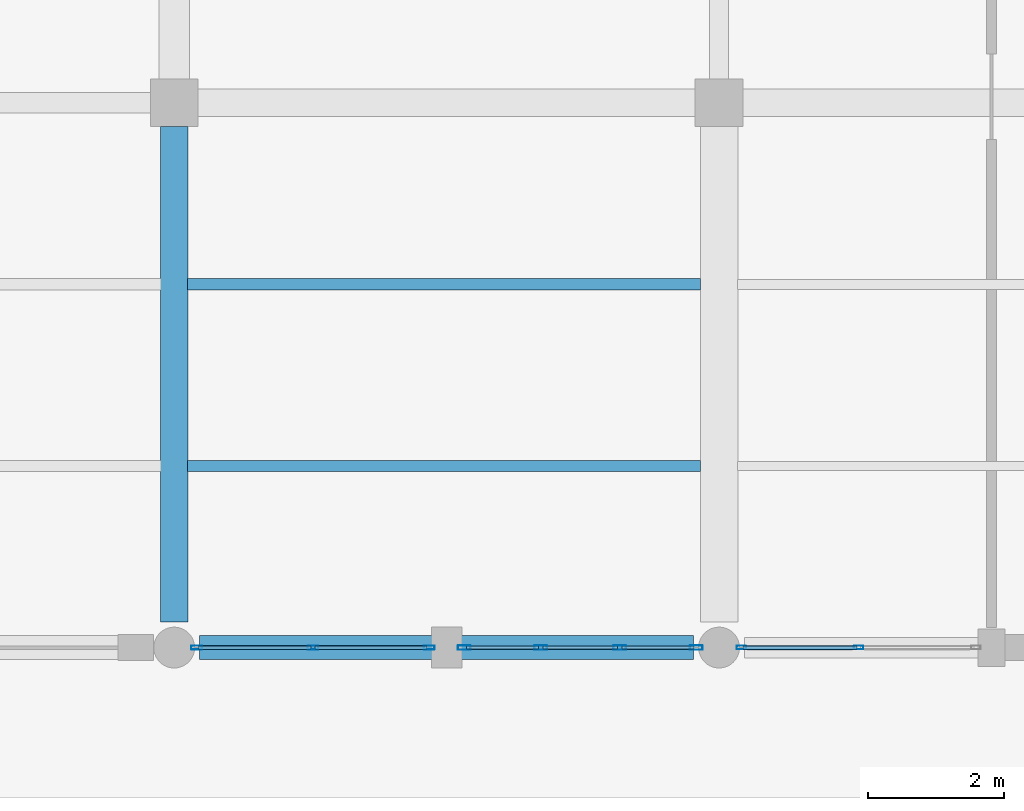
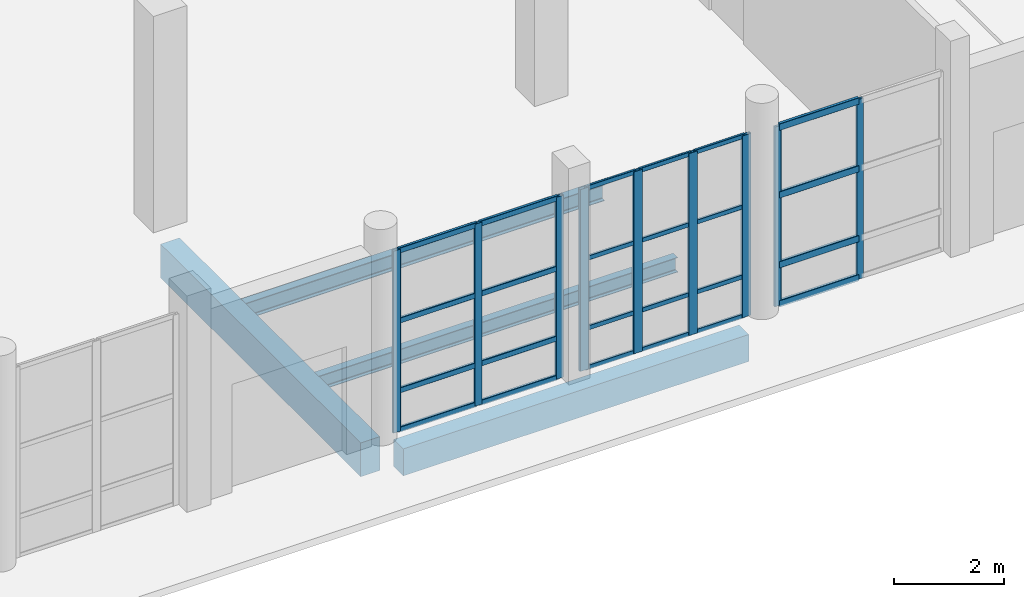
# One storey, part 17 of 156: 33 members, 4 beams, 3 elements without a shape of their own.
"""IFC4 building model written with IfcOpenShell, lengths in metres."""

from ifc_helpers import new_model, si_unit, direction, frame, origin, origin_2d, place, context, subcontext, project, spatial, rectangle, hollow_rectangle, i_section, extrude, material, material_profile, profile_set, type_object, element, aggregate, save


model = new_model("IFC4")

# Units and contexts
model_context = context("Model", 3, precision=1e-05, world=origin(), true_north=direction((0.0, 1.0)))
body_context = subcontext(model_context, "Body", "Model", "MODEL_VIEW")
ifc_project = project(units=[si_unit("LENGTHUNIT", "METRE"), si_unit("AREAUNIT", "SQUARE_METRE"), si_unit("VOLUMEUNIT", "CUBIC_METRE"), si_unit("PLANEANGLEUNIT", "RADIAN"), si_unit("MASSUNIT", "GRAM", prefix="KILO")], contexts=[model_context])

# Site, building, storey
site_placement = place(None, origin())
site = spatial("IfcSite", under=ifc_project, at=site_placement, CompositionType="ELEMENT")
building_placement = place(site_placement, origin())
building = spatial("IfcBuilding", under=site, at=building_placement, Name="Luwemba Playhouse", CompositionType="ELEMENT")
storey_placement = place(building_placement, origin())
storey = spatial("IfcBuildingStorey", under=building, at=storey_placement, Name="L00", CompositionType="ELEMENT", Elevation=0.0)

# Beams
ifc_material_1 = material(Name="Concrete C40/50", Category="concrete")
ifc_material_profile_1 = material_profile(ifc_material_1, rectangle(XDim=0.39990234375, YDim=0.75, at=origin_2d()))
ifc_profile_set_1 = profile_set([ifc_material_profile_1], Name="Concrete C40/50")
beam_type_1 = type_object("IfcBeamType", Name="BM-RB03", PredefinedType="BEAM", material=ifc_profile_set_1)
beam_1_placement = place(storey_placement, frame((36.0, 3.375, -0.675048828125), z_axis=(0.0, 1.0, 0.0), x_axis=(-1.0, 0.0, 0.0)))
element("IfcBeam", 1, at=beam_1_placement, inside=storey, type_object=beam_type_1, Name="L00 transverse girder 0190", PredefinedType="BEAM", context=body_context, shape_type="SweptSolid", body=[
    extrude(rectangle(XDim=0.39990234375, YDim=0.75, at=origin_2d()), origin(), (0.0, 0.0, 1.0), 7.27490234375),
])
ifc_material_2 = material(Name="Steel S355", Category="steel")
ifc_material_profile_2 = material_profile(ifc_material_2, i_section(OverallWidth=0.159912109375, OverallDepth=0.330078125, WebThickness=0.007568359375, FlangeThickness=0.011474609375, FilletRadius=0.01806640625, at=origin_2d()))
ifc_profile_set_2 = profile_set([ifc_material_profile_2], Name="Steel S355")
beam_type_2 = type_object("IfcBeamType", Name="BM-SJ06", PredefinedType="JOIST", material=ifc_profile_set_2)
beam_2_placement = place(storey_placement, frame((36.196044921875, 5.666748046875, -0.465087890625), z_axis=(1.0, 0.0, 0.0), x_axis=(0.0, 1.0, 0.0)))
element("IfcBeam", 2, at=beam_2_placement, inside=storey, type_object=beam_type_2, Name="L00 composite floor joist 0140", PredefinedType="JOIST", context=body_context, shape_type="SweptSolid", body=[
    extrude(i_section(OverallWidth=0.159912109375, OverallDepth=0.330078125, WebThickness=0.007568359375, FlangeThickness=0.011474609375, FilletRadius=0.01806640625, at=origin_2d()), origin(), (0.0, 0.0, 1.0), 7.532958984375),
])
ifc_material_profile_3 = material_profile(ifc_material_2, i_section(OverallWidth=0.169921875, OverallDepth=0.360107421875, WebThickness=0.008056640625, FlangeThickness=0.0126953125, FilletRadius=0.01806640625, at=origin_2d()))
ifc_profile_set_3 = profile_set([ifc_material_profile_3], Name="Steel S355")
beam_type_3 = type_object("IfcBeamType", Name="BM-SJ07", PredefinedType="JOIST", material=ifc_profile_set_3)
beam_3_placement = place(storey_placement, frame((36.196044921875, 8.333251953125, -0.47998046875), z_axis=(1.0, 0.0, 0.0), x_axis=(0.0, 1.0, 0.0)))
element("IfcBeam", 3, at=beam_3_placement, inside=storey, type_object=beam_type_3, Name="L00 composite floor joist 0141", PredefinedType="JOIST", context=body_context, shape_type="SweptSolid", body=[
    extrude(i_section(OverallWidth=0.169921875, OverallDepth=0.360107421875, WebThickness=0.008056640625, FlangeThickness=0.0126953125, FilletRadius=0.01806640625, at=origin_2d()), origin(), (0.0, 0.0, 1.0), 7.532958984375),
])
ifc_material_profile_4 = material_profile(ifc_material_1, rectangle(XDim=0.35009765625, YDim=0.60009765625, at=origin_2d()))
ifc_profile_set_4 = profile_set([ifc_material_profile_4], Name="Concrete C40/50")
beam_type_4 = type_object("IfcBeamType", Name="BM-SP3", PredefinedType="SPANDREL", material=ifc_profile_set_4)
beam_4_placement = place(storey_placement, frame((36.375, 3.0, -0.60009765625), z_axis=(1.0, 0.0, 0.0), x_axis=(0.0, 1.0, 0.0)))
element("IfcBeam", 4, at=beam_4_placement, inside=storey, type_object=beam_type_4, Name="L00 grid girder 0154", PredefinedType="SPANDREL", context=body_context, shape_type="SweptSolid", body=[
    extrude(rectangle(XDim=0.35009765625, YDim=0.60009765625, at=origin_2d()), origin(), (0.0, 0.0, 1.0), 7.25),
])

# Curtain wall, members
ifc_material_3 = material(Name="Solar-control double glazing", Category="glass")
curtain_wall_type_1 = type_object("IfcCurtainWallType", Name="CW-CW41", PredefinedType="USERDEFINED", material=ifc_material_3)
curtain_wall_1_placement = place(storey_placement, origin())
curtain_wall_1 = element("IfcCurtainWall", 5, at=curtain_wall_1_placement, inside=storey, type_object=curtain_wall_type_1, Name="L00 V5W unitised curtain wall 047", ObjectType="UNITISED GLAZING", PredefinedType="USERDEFINED")
ifc_material_4 = material(Name="Aluminium 6063-T6", Category="aluminium")
ifc_material_profile_5 = material_profile(ifc_material_4, hollow_rectangle(XDim=0.06005859375, YDim=0.159912109375, WallThickness=0.00390625, InnerFilletRadius=0.006103515625, OuterFilletRadius=0.010009765625, at=origin_2d()))
ifc_profile_set_5 = profile_set([ifc_material_profile_5], Name="Aluminium 6063-T6")
member_type_1 = type_object("IfcMemberType", Name="CWM-M1", PredefinedType="MULLION", material=ifc_profile_set_5)
member_1_placement = place(storey_placement, frame((39.7451171875, 3.0, 0.0), z_axis=(0.0, 0.0, 1.0), x_axis=(0.0, -1.0, 0.0)))
member_1 = element("IfcMember", 6, at=member_1_placement, type_object=member_type_1, Name="CW41 mullion 1", PredefinedType="MULLION", context=body_context, shape_type="SweptSolid", body=[
    extrude(hollow_rectangle(XDim=0.06005859375, YDim=0.159912109375, WallThickness=0.00390625, InnerFilletRadius=0.006103515625, OuterFilletRadius=0.010009765625, at=origin_2d()), origin(), (0.0, 0.0, 1.0), 4.034912109375),
])
member_2_placement = place(storey_placement, frame((38.03759765625, 3.0, 0.0), z_axis=(0.0, 0.0, 1.0), x_axis=(0.0, -1.0, 0.0)))
member_2 = element("IfcMember", 7, at=member_2_placement, type_object=member_type_1, Name="CW41 mullion 2", PredefinedType="MULLION", context=body_context, shape_type="SweptSolid", body=[
    extrude(hollow_rectangle(XDim=0.06005859375, YDim=0.159912109375, WallThickness=0.00390625, InnerFilletRadius=0.006103515625, OuterFilletRadius=0.010009765625, at=origin_2d()), origin(), (0.0, 0.0, 1.0), 4.034912109375),
])
member_3_placement = place(storey_placement, frame((36.330078125, 3.0, 0.0), z_axis=(0.0, 0.0, 1.0), x_axis=(0.0, -1.0, 0.0)))
member_3 = element("IfcMember", 8, at=member_3_placement, type_object=member_type_1, Name="CW41 mullion 3", PredefinedType="MULLION", context=body_context, shape_type="SweptSolid", body=[
    extrude(hollow_rectangle(XDim=0.06005859375, YDim=0.159912109375, WallThickness=0.00390625, InnerFilletRadius=0.006103515625, OuterFilletRadius=0.010009765625, at=origin_2d()), origin(), (0.0, 0.0, 1.0), 4.034912109375),
])

curtain_wall_type_2 = type_object("IfcCurtainWallType", Name="CW-CW40", PredefinedType="USERDEFINED", material=ifc_material_3)
curtain_wall_2_placement = place(storey_placement, origin())
curtain_wall_2 = element("IfcCurtainWall", 9, at=curtain_wall_2_placement, inside=storey, type_object=curtain_wall_type_2, Name="L00 V5W unitised curtain wall 045", ObjectType="UNITISED GLAZING", PredefinedType="USERDEFINED")
ifc_material_profile_6 = material_profile(ifc_material_4, hollow_rectangle(XDim=0.054931640625, YDim=0.139892578125, WallThickness=0.00390625, InnerFilletRadius=0.006103515625, OuterFilletRadius=0.010009765625, at=origin_2d()))
ifc_profile_set_6 = profile_set([ifc_material_profile_6], Name="Aluminium 6063-T6")
member_type_2 = type_object("IfcMemberType", Name="CWM-M3", PredefinedType="MULLION", material=ifc_profile_set_6)
member_4_placement = place(storey_placement, frame((46.050048828125, 3.0, 0.0), z_axis=(0.0, 0.0, 1.0), x_axis=(0.0, -1.0, 0.0)))
member_4 = element("IfcMember", 10, at=member_4_placement, type_object=member_type_2, Name="CW40 mullion 2", PredefinedType="MULLION", context=body_context, shape_type="SweptSolid", body=[
    extrude(hollow_rectangle(XDim=0.054931640625, YDim=0.139892578125, WallThickness=0.00390625, InnerFilletRadius=0.006103515625, OuterFilletRadius=0.010009765625, at=origin_2d()), origin(), (0.0, 0.0, 1.0), 3.985107421875),
])
member_5_placement = place(storey_placement, frame((44.327392578125, 3.0, 0.0), z_axis=(0.0, 0.0, 1.0), x_axis=(0.0, -1.0, 0.0)))
member_5 = element("IfcMember", 11, at=member_5_placement, type_object=member_type_2, Name="CW40 mullion 3", PredefinedType="MULLION", context=body_context, shape_type="SweptSolid", body=[
    extrude(hollow_rectangle(XDim=0.054931640625, YDim=0.139892578125, WallThickness=0.00390625, InnerFilletRadius=0.006103515625, OuterFilletRadius=0.010009765625, at=origin_2d()), origin(), (0.0, 0.0, 1.0), 3.985107421875),
])

curtain_wall_type_3 = type_object("IfcCurtainWallType", Name="CW-CW14", PredefinedType="USERDEFINED", material=ifc_material_3)
curtain_wall_3_placement = place(storey_placement, origin())
curtain_wall_3 = element("IfcCurtainWall", 12, at=curtain_wall_3_placement, inside=storey, type_object=curtain_wall_type_3, Name="L00 V5W unitised curtain wall 046", ObjectType="UNITISED GLAZING", PredefinedType="USERDEFINED")
ifc_material_profile_7 = material_profile(ifc_material_4, hollow_rectangle(XDim=0.070068359375, YDim=0.18994140625, WallThickness=0.0048828125, InnerFilletRadius=0.007568359375, OuterFilletRadius=0.012451171875, at=origin_2d()))
ifc_profile_set_7 = profile_set([ifc_material_profile_7], Name="Aluminium 6063-T6")
member_type_3 = type_object("IfcMemberType", Name="CWM-M4", PredefinedType="MULLION", material=ifc_profile_set_7)
member_6_placement = place(storey_placement, frame((43.6650390625, 3.0, 0.0), z_axis=(0.0, 0.0, 1.0), x_axis=(0.0, -1.0, 0.0)))
member_6 = element("IfcMember", 13, at=member_6_placement, type_object=member_type_3, Name="CW14 mullion 1", PredefinedType="MULLION", context=body_context, shape_type="SweptSolid", body=[
    extrude(hollow_rectangle(XDim=0.070068359375, YDim=0.18994140625, WallThickness=0.0048828125, InnerFilletRadius=0.007568359375, OuterFilletRadius=0.012451171875, at=origin_2d()), origin(), (0.0, 0.0, 1.0), 4.034912109375),
])
member_7_placement = place(storey_placement, frame((42.541748046875, 3.0, 0.0), z_axis=(0.0, 0.0, 1.0), x_axis=(0.0, -1.0, 0.0)))
member_7 = element("IfcMember", 14, at=member_7_placement, type_object=member_type_3, Name="CW14 mullion 2", PredefinedType="MULLION", context=body_context, shape_type="SweptSolid", body=[
    extrude(hollow_rectangle(XDim=0.070068359375, YDim=0.18994140625, WallThickness=0.0048828125, InnerFilletRadius=0.007568359375, OuterFilletRadius=0.012451171875, at=origin_2d()), origin(), (0.0, 0.0, 1.0), 4.034912109375),
])
member_8_placement = place(storey_placement, frame((41.38330078125, 3.0, 0.0), z_axis=(0.0, 0.0, 1.0), x_axis=(0.0, -1.0, 0.0)))
member_8 = element("IfcMember", 15, at=member_8_placement, type_object=member_type_3, Name="CW14 mullion 3", PredefinedType="MULLION", context=body_context, shape_type="SweptSolid", body=[
    extrude(hollow_rectangle(XDim=0.070068359375, YDim=0.18994140625, WallThickness=0.0048828125, InnerFilletRadius=0.007568359375, OuterFilletRadius=0.012451171875, at=origin_2d()), origin(), (0.0, 0.0, 1.0), 4.034912109375),
])
member_9_placement = place(storey_placement, frame((40.260009765625, 3.0, 0.0), z_axis=(0.0, 0.0, 1.0), x_axis=(0.0, -1.0, 0.0)))
member_9 = element("IfcMember", 16, at=member_9_placement, type_object=member_type_3, Name="CW14 mullion 4", PredefinedType="MULLION", context=body_context, shape_type="SweptSolid", body=[
    extrude(hollow_rectangle(XDim=0.070068359375, YDim=0.18994140625, WallThickness=0.0048828125, InnerFilletRadius=0.007568359375, OuterFilletRadius=0.012451171875, at=origin_2d()), origin(), (0.0, 0.0, 1.0), 4.034912109375),
])

# Member
ifc_material_profile_8 = material_profile(ifc_material_4, hollow_rectangle(XDim=0.06005859375, YDim=0.1201171875, WallThickness=0.00390625, InnerFilletRadius=0.006103515625, OuterFilletRadius=0.010009765625, at=origin_2d()))
ifc_profile_set_8 = profile_set([ifc_material_profile_8], Name="Aluminium 6063-T6")
member_type_4 = type_object("IfcMemberType", Name="CWT-T1", PredefinedType="USERDEFINED", material=ifc_profile_set_8)
member_10_placement = place(storey_placement, frame((39.715087890625, 3.0, 0.030029296875), z_axis=(-1.0, 0.0, 0.0), x_axis=(0.0, -1.0, 0.0)))
member_10 = element("IfcMember", 17, at=member_10_placement, type_object=member_type_4, Name="CW41 transom 1.1", ObjectType="TRANSOM", PredefinedType="USERDEFINED", context=body_context, shape_type="SweptSolid", body=[
    extrude(hollow_rectangle(XDim=0.06005859375, YDim=0.1201171875, WallThickness=0.00390625, InnerFilletRadius=0.006103515625, OuterFilletRadius=0.010009765625, at=origin_2d()), origin(), (0.0, 0.0, 1.0), 1.647705078125),
])

member_11_placement = place(storey_placement, frame((39.715087890625, 3.0, 0.89990234375), z_axis=(-1.0, 0.0, 0.0), x_axis=(0.0, -1.0, 0.0)))
member_11 = element("IfcMember", 18, at=member_11_placement, type_object=member_type_4, Name="CW41 transom 1.2", ObjectType="TRANSOM", PredefinedType="USERDEFINED", context=body_context, shape_type="SweptSolid", body=[
    extrude(hollow_rectangle(XDim=0.06005859375, YDim=0.1201171875, WallThickness=0.00390625, InnerFilletRadius=0.006103515625, OuterFilletRadius=0.010009765625, at=origin_2d()), origin(), (0.0, 0.0, 1.0), 1.647705078125),
])

member_12_placement = place(storey_placement, frame((39.715087890625, 3.0, 2.449951171875), z_axis=(-1.0, 0.0, 0.0), x_axis=(0.0, -1.0, 0.0)))
member_12 = element("IfcMember", 19, at=member_12_placement, type_object=member_type_4, Name="CW41 transom 1.3", ObjectType="TRANSOM", PredefinedType="USERDEFINED", context=body_context, shape_type="SweptSolid", body=[
    extrude(hollow_rectangle(XDim=0.06005859375, YDim=0.1201171875, WallThickness=0.00390625, InnerFilletRadius=0.006103515625, OuterFilletRadius=0.010009765625, at=origin_2d()), origin(), (0.0, 0.0, 1.0), 1.647705078125),
])

member_13_placement = place(storey_placement, frame((39.715087890625, 3.0, 4.0048828125), z_axis=(-1.0, 0.0, 0.0), x_axis=(0.0, -1.0, 0.0)))
member_13 = element("IfcMember", 20, at=member_13_placement, type_object=member_type_4, Name="CW41 transom 1.4", ObjectType="TRANSOM", PredefinedType="USERDEFINED", context=body_context, shape_type="SweptSolid", body=[
    extrude(hollow_rectangle(XDim=0.06005859375, YDim=0.1201171875, WallThickness=0.00390625, InnerFilletRadius=0.006103515625, OuterFilletRadius=0.010009765625, at=origin_2d()), origin(), (0.0, 0.0, 1.0), 1.647705078125),
])

member_14_placement = place(storey_placement, frame((38.007568359375, 3.0, 0.030029296875), z_axis=(-1.0, 0.0, 0.0), x_axis=(0.0, -1.0, 0.0)))
member_14 = element("IfcMember", 21, at=member_14_placement, type_object=member_type_4, Name="CW41 transom 2.1", ObjectType="TRANSOM", PredefinedType="USERDEFINED", context=body_context, shape_type="SweptSolid", body=[
    extrude(hollow_rectangle(XDim=0.06005859375, YDim=0.1201171875, WallThickness=0.00390625, InnerFilletRadius=0.006103515625, OuterFilletRadius=0.010009765625, at=origin_2d()), origin(), (0.0, 0.0, 1.0), 1.6474609375),
])

member_15_placement = place(storey_placement, frame((38.007568359375, 3.0, 0.89990234375), z_axis=(-1.0, 0.0, 0.0), x_axis=(0.0, -1.0, 0.0)))
member_15 = element("IfcMember", 22, at=member_15_placement, type_object=member_type_4, Name="CW41 transom 2.2", ObjectType="TRANSOM", PredefinedType="USERDEFINED", context=body_context, shape_type="SweptSolid", body=[
    extrude(hollow_rectangle(XDim=0.06005859375, YDim=0.1201171875, WallThickness=0.00390625, InnerFilletRadius=0.006103515625, OuterFilletRadius=0.010009765625, at=origin_2d()), origin(), (0.0, 0.0, 1.0), 1.6474609375),
])

member_16_placement = place(storey_placement, frame((38.007568359375, 3.0, 2.449951171875), z_axis=(-1.0, 0.0, 0.0), x_axis=(0.0, -1.0, 0.0)))
member_16 = element("IfcMember", 23, at=member_16_placement, type_object=member_type_4, Name="CW41 transom 2.3", ObjectType="TRANSOM", PredefinedType="USERDEFINED", context=body_context, shape_type="SweptSolid", body=[
    extrude(hollow_rectangle(XDim=0.06005859375, YDim=0.1201171875, WallThickness=0.00390625, InnerFilletRadius=0.006103515625, OuterFilletRadius=0.010009765625, at=origin_2d()), origin(), (0.0, 0.0, 1.0), 1.6474609375),
])

member_17_placement = place(storey_placement, frame((38.007568359375, 3.0, 4.0048828125), z_axis=(-1.0, 0.0, 0.0), x_axis=(0.0, -1.0, 0.0)))
member_17 = element("IfcMember", 24, at=member_17_placement, type_object=member_type_4, Name="CW41 transom 2.4", ObjectType="TRANSOM", PredefinedType="USERDEFINED", context=body_context, shape_type="SweptSolid", body=[
    extrude(hollow_rectangle(XDim=0.06005859375, YDim=0.1201171875, WallThickness=0.00390625, InnerFilletRadius=0.006103515625, OuterFilletRadius=0.010009765625, at=origin_2d()), origin(), (0.0, 0.0, 1.0), 1.6474609375),
])

aggregate(curtain_wall_1, [member_1, member_2, member_3, member_10, member_11, member_12, member_13, member_14, member_15, member_16, member_17])

ifc_material_profile_9 = material_profile(ifc_material_4, hollow_rectangle(XDim=0.06494140625, YDim=0.14990234375, WallThickness=0.00390625, InnerFilletRadius=0.006103515625, OuterFilletRadius=0.010009765625, at=origin_2d()))
ifc_profile_set_9 = profile_set([ifc_material_profile_9], Name="Aluminium 6063-T6")
member_type_5 = type_object("IfcMemberType", Name="CWT-T3", PredefinedType="USERDEFINED", material=ifc_profile_set_9)
member_18_placement = place(storey_placement, frame((46.0224609375, 3.0, 0.032470703125), z_axis=(-1.0, 0.0, 0.0), x_axis=(0.0, -1.0, 0.0)))
member_18 = element("IfcMember", 25, at=member_18_placement, type_object=member_type_5, Name="CW40 transom 2.1", ObjectType="TRANSOM", PredefinedType="USERDEFINED", context=body_context, shape_type="SweptSolid", body=[
    extrude(hollow_rectangle(XDim=0.06494140625, YDim=0.14990234375, WallThickness=0.00390625, InnerFilletRadius=0.006103515625, OuterFilletRadius=0.010009765625, at=origin_2d()), origin(), (0.0, 0.0, 1.0), 1.66748046875),
])

member_19_placement = place(storey_placement, frame((46.0224609375, 3.0, 0.89990234375), z_axis=(-1.0, 0.0, 0.0), x_axis=(0.0, -1.0, 0.0)))
member_19 = element("IfcMember", 26, at=member_19_placement, type_object=member_type_5, Name="CW40 transom 2.2", ObjectType="TRANSOM", PredefinedType="USERDEFINED", context=body_context, shape_type="SweptSolid", body=[
    extrude(hollow_rectangle(XDim=0.06494140625, YDim=0.14990234375, WallThickness=0.00390625, InnerFilletRadius=0.006103515625, OuterFilletRadius=0.010009765625, at=origin_2d()), origin(), (0.0, 0.0, 1.0), 1.66748046875),
])

member_20_placement = place(storey_placement, frame((46.0224609375, 3.0, 2.449951171875), z_axis=(-1.0, 0.0, 0.0), x_axis=(0.0, -1.0, 0.0)))
member_20 = element("IfcMember", 27, at=member_20_placement, type_object=member_type_5, Name="CW40 transom 2.3", ObjectType="TRANSOM", PredefinedType="USERDEFINED", context=body_context, shape_type="SweptSolid", body=[
    extrude(hollow_rectangle(XDim=0.06494140625, YDim=0.14990234375, WallThickness=0.00390625, InnerFilletRadius=0.006103515625, OuterFilletRadius=0.010009765625, at=origin_2d()), origin(), (0.0, 0.0, 1.0), 1.66748046875),
])

member_21_placement = place(storey_placement, frame((46.0224609375, 3.0, 3.952392578125), z_axis=(-1.0, 0.0, 0.0), x_axis=(0.0, -1.0, 0.0)))
member_21 = element("IfcMember", 28, at=member_21_placement, type_object=member_type_5, Name="CW40 transom 2.4", ObjectType="TRANSOM", PredefinedType="USERDEFINED", context=body_context, shape_type="SweptSolid", body=[
    extrude(hollow_rectangle(XDim=0.06494140625, YDim=0.14990234375, WallThickness=0.00390625, InnerFilletRadius=0.006103515625, OuterFilletRadius=0.010009765625, at=origin_2d()), origin(), (0.0, 0.0, 1.0), 1.66748046875),
])

aggregate(curtain_wall_2, [member_4, member_5, member_18, member_19, member_20, member_21])

ifc_material_profile_10 = material_profile(ifc_material_4, hollow_rectangle(XDim=0.050048828125, YDim=0.10009765625, WallThickness=0.00341796875, InnerFilletRadius=0.00537109375, OuterFilletRadius=0.0087890625, at=origin_2d()))
ifc_profile_set_10 = profile_set([ifc_material_profile_10], Name="Aluminium 6063-T6")
member_type_6 = type_object("IfcMemberType", Name="CWT-T4", PredefinedType="USERDEFINED", material=ifc_profile_set_10)
member_22_placement = place(storey_placement, frame((43.6298828125, 3.0, 0.02490234375), z_axis=(-1.0, 0.0, 0.0), x_axis=(0.0, -1.0, 0.0)))
member_22 = element("IfcMember", 29, at=member_22_placement, type_object=member_type_6, Name="CW14 transom 1.1", ObjectType="TRANSOM", PredefinedType="USERDEFINED", context=body_context, shape_type="SweptSolid", body=[
    extrude(hollow_rectangle(XDim=0.050048828125, YDim=0.10009765625, WallThickness=0.00341796875, InnerFilletRadius=0.00537109375, OuterFilletRadius=0.0087890625, at=origin_2d()), origin(), (0.0, 0.0, 1.0), 1.05322265625),
])

member_23_placement = place(storey_placement, frame((43.6298828125, 3.0, 0.89990234375), z_axis=(-1.0, 0.0, 0.0), x_axis=(0.0, -1.0, 0.0)))
member_23 = element("IfcMember", 30, at=member_23_placement, type_object=member_type_6, Name="CW14 transom 1.2", ObjectType="TRANSOM", PredefinedType="USERDEFINED", context=body_context, shape_type="SweptSolid", body=[
    extrude(hollow_rectangle(XDim=0.050048828125, YDim=0.10009765625, WallThickness=0.00341796875, InnerFilletRadius=0.00537109375, OuterFilletRadius=0.0087890625, at=origin_2d()), origin(), (0.0, 0.0, 1.0), 1.05322265625),
])

member_24_placement = place(storey_placement, frame((43.6298828125, 3.0, 2.449951171875), z_axis=(-1.0, 0.0, 0.0), x_axis=(0.0, -1.0, 0.0)))
member_24 = element("IfcMember", 31, at=member_24_placement, type_object=member_type_6, Name="CW14 transom 1.3", ObjectType="TRANSOM", PredefinedType="USERDEFINED", context=body_context, shape_type="SweptSolid", body=[
    extrude(hollow_rectangle(XDim=0.050048828125, YDim=0.10009765625, WallThickness=0.00341796875, InnerFilletRadius=0.00537109375, OuterFilletRadius=0.0087890625, at=origin_2d()), origin(), (0.0, 0.0, 1.0), 1.05322265625),
])

member_25_placement = place(storey_placement, frame((43.6298828125, 3.0, 4.010009765625), z_axis=(-1.0, 0.0, 0.0), x_axis=(0.0, -1.0, 0.0)))
member_25 = element("IfcMember", 32, at=member_25_placement, type_object=member_type_6, Name="CW14 transom 1.4", ObjectType="TRANSOM", PredefinedType="USERDEFINED", context=body_context, shape_type="SweptSolid", body=[
    extrude(hollow_rectangle(XDim=0.050048828125, YDim=0.10009765625, WallThickness=0.00341796875, InnerFilletRadius=0.00537109375, OuterFilletRadius=0.0087890625, at=origin_2d()), origin(), (0.0, 0.0, 1.0), 1.05322265625),
])

member_26_placement = place(storey_placement, frame((42.506591796875, 3.0, 0.02490234375), z_axis=(-1.0, 0.0, 0.0), x_axis=(0.0, -1.0, 0.0)))
member_26 = element("IfcMember", 33, at=member_26_placement, type_object=member_type_6, Name="CW14 transom 2.1", ObjectType="TRANSOM", PredefinedType="USERDEFINED", context=body_context, shape_type="SweptSolid", body=[
    extrude(hollow_rectangle(XDim=0.050048828125, YDim=0.10009765625, WallThickness=0.00341796875, InnerFilletRadius=0.00537109375, OuterFilletRadius=0.0087890625, at=origin_2d()), origin(), (0.0, 0.0, 1.0), 1.08837890625),
])

member_27_placement = place(storey_placement, frame((42.506591796875, 3.0, 0.89990234375), z_axis=(-1.0, 0.0, 0.0), x_axis=(0.0, -1.0, 0.0)))
member_27 = element("IfcMember", 34, at=member_27_placement, type_object=member_type_6, Name="CW14 transom 2.2", ObjectType="TRANSOM", PredefinedType="USERDEFINED", context=body_context, shape_type="SweptSolid", body=[
    extrude(hollow_rectangle(XDim=0.050048828125, YDim=0.10009765625, WallThickness=0.00341796875, InnerFilletRadius=0.00537109375, OuterFilletRadius=0.0087890625, at=origin_2d()), origin(), (0.0, 0.0, 1.0), 1.08837890625),
])

member_28_placement = place(storey_placement, frame((42.506591796875, 3.0, 2.449951171875), z_axis=(-1.0, 0.0, 0.0), x_axis=(0.0, -1.0, 0.0)))
member_28 = element("IfcMember", 35, at=member_28_placement, type_object=member_type_6, Name="CW14 transom 2.3", ObjectType="TRANSOM", PredefinedType="USERDEFINED", context=body_context, shape_type="SweptSolid", body=[
    extrude(hollow_rectangle(XDim=0.050048828125, YDim=0.10009765625, WallThickness=0.00341796875, InnerFilletRadius=0.00537109375, OuterFilletRadius=0.0087890625, at=origin_2d()), origin(), (0.0, 0.0, 1.0), 1.08837890625),
])

member_29_placement = place(storey_placement, frame((42.506591796875, 3.0, 4.010009765625), z_axis=(-1.0, 0.0, 0.0), x_axis=(0.0, -1.0, 0.0)))
member_29 = element("IfcMember", 36, at=member_29_placement, type_object=member_type_6, Name="CW14 transom 2.4", ObjectType="TRANSOM", PredefinedType="USERDEFINED", context=body_context, shape_type="SweptSolid", body=[
    extrude(hollow_rectangle(XDim=0.050048828125, YDim=0.10009765625, WallThickness=0.00341796875, InnerFilletRadius=0.00537109375, OuterFilletRadius=0.0087890625, at=origin_2d()), origin(), (0.0, 0.0, 1.0), 1.08837890625),
])

member_30_placement = place(storey_placement, frame((41.348388671875, 3.0, 0.02490234375), z_axis=(-1.0, 0.0, 0.0), x_axis=(0.0, -1.0, 0.0)))
member_30 = element("IfcMember", 37, at=member_30_placement, type_object=member_type_6, Name="CW14 transom 3.1", ObjectType="TRANSOM", PredefinedType="USERDEFINED", context=body_context, shape_type="SweptSolid", body=[
    extrude(hollow_rectangle(XDim=0.050048828125, YDim=0.10009765625, WallThickness=0.00341796875, InnerFilletRadius=0.00537109375, OuterFilletRadius=0.0087890625, at=origin_2d()), origin(), (0.0, 0.0, 1.0), 1.053466796875),
])

member_31_placement = place(storey_placement, frame((41.348388671875, 3.0, 0.89990234375), z_axis=(-1.0, 0.0, 0.0), x_axis=(0.0, -1.0, 0.0)))
member_31 = element("IfcMember", 38, at=member_31_placement, type_object=member_type_6, Name="CW14 transom 3.2", ObjectType="TRANSOM", PredefinedType="USERDEFINED", context=body_context, shape_type="SweptSolid", body=[
    extrude(hollow_rectangle(XDim=0.050048828125, YDim=0.10009765625, WallThickness=0.00341796875, InnerFilletRadius=0.00537109375, OuterFilletRadius=0.0087890625, at=origin_2d()), origin(), (0.0, 0.0, 1.0), 1.053466796875),
])

member_32_placement = place(storey_placement, frame((41.348388671875, 3.0, 2.449951171875), z_axis=(-1.0, 0.0, 0.0), x_axis=(0.0, -1.0, 0.0)))
member_32 = element("IfcMember", 39, at=member_32_placement, type_object=member_type_6, Name="CW14 transom 3.3", ObjectType="TRANSOM", PredefinedType="USERDEFINED", context=body_context, shape_type="SweptSolid", body=[
    extrude(hollow_rectangle(XDim=0.050048828125, YDim=0.10009765625, WallThickness=0.00341796875, InnerFilletRadius=0.00537109375, OuterFilletRadius=0.0087890625, at=origin_2d()), origin(), (0.0, 0.0, 1.0), 1.053466796875),
])

member_33_placement = place(storey_placement, frame((41.348388671875, 3.0, 4.010009765625), z_axis=(-1.0, 0.0, 0.0), x_axis=(0.0, -1.0, 0.0)))
member_33 = element("IfcMember", 40, at=member_33_placement, type_object=member_type_6, Name="CW14 transom 3.4", ObjectType="TRANSOM", PredefinedType="USERDEFINED", context=body_context, shape_type="SweptSolid", body=[
    extrude(hollow_rectangle(XDim=0.050048828125, YDim=0.10009765625, WallThickness=0.00341796875, InnerFilletRadius=0.00537109375, OuterFilletRadius=0.0087890625, at=origin_2d()), origin(), (0.0, 0.0, 1.0), 1.053466796875),
])

aggregate(curtain_wall_3, [member_6, member_7, member_8, member_9, member_22, member_23, member_24, member_25, member_26, member_27, member_28, member_29, member_30, member_31, member_32, member_33])

save(model, "model.ifc")
